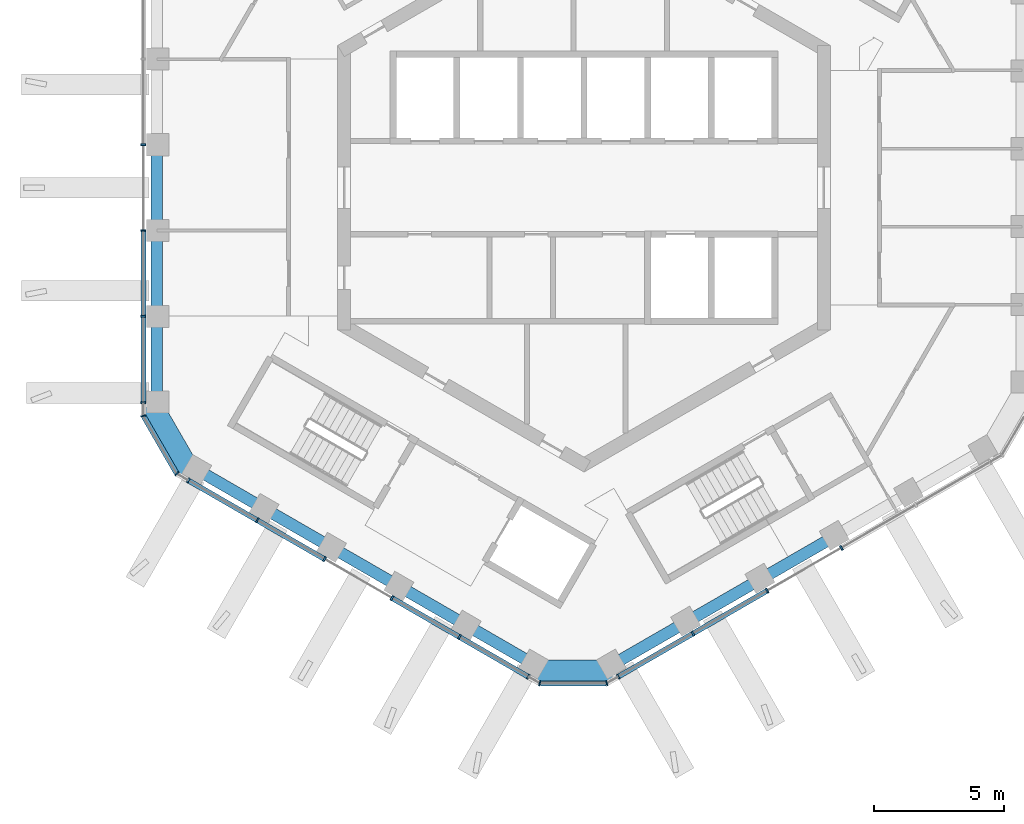
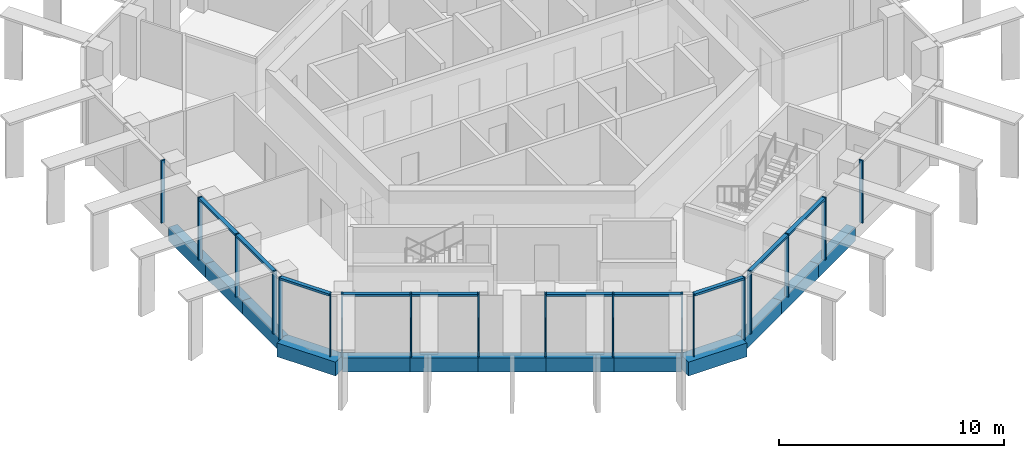
# One storey, part 2 of 18: 24 members, 13 beams, 5 elements without a shape of their own.
"""IFC4 building model written with IfcOpenShell, lengths in metres."""

from ifc_helpers import new_model, si_unit, direction, frame, origin, origin_2d, place, context, subcontext, project, spatial, rectangle, extrude, material, layer, layer_set, material_profile, profile_set, type_object, element, aggregate, save


model = new_model("IFC4")

# Units and contexts
model_context = context("Model", 3, precision=1e-05, world=origin(), true_north=direction((0.0, 1.0)))
body_context = subcontext(model_context, "Body", "Model", "MODEL_VIEW")
ifc_project = project(units=[si_unit("LENGTHUNIT", "METRE"), si_unit("AREAUNIT", "SQUARE_METRE"), si_unit("VOLUMEUNIT", "CUBIC_METRE"), si_unit("PLANEANGLEUNIT", "RADIAN"), si_unit("MASSUNIT", "GRAM", prefix="KILO")], contexts=[model_context])

# Site, building, storey
site_placement = place(None, origin())
site = spatial("IfcSite", under=ifc_project, at=site_placement, CompositionType="ELEMENT")
building_placement = place(site_placement, origin())
building = spatial("IfcBuilding", under=site, at=building_placement, Name="Ayvan Gate Tower", CompositionType="ELEMENT")
storey_placement = place(building_placement, frame((0.0, 0.0, 242.699951171875)))
storey = spatial("IfcBuildingStorey", under=building, at=storey_placement, Name="L65", CompositionType="ELEMENT", Elevation=242.699951171875)

# Beams
ifc_material_1 = material(Name="Concrete C40/50", Category="concrete")
ifc_material_profile_1 = material_profile(ifc_material_1, rectangle(XDim=0.800048828125, YDim=0.75, at=origin_2d()), Name="RC 800x750")
ifc_profile_set_1 = profile_set([ifc_material_profile_1], Name="Concrete C40/50")
beam_type_1 = type_object("IfcBeamType", Name="Corner spandrel beam RC 800x750 C40/50", PredefinedType="BEAM", material=ifc_profile_set_1)
beam_1_placement = place(storey_placement, frame((-16.67529296875, -8.360595703125, -0.724853515625), z_axis=(0.50002537861, -0.866010750942, 0.0), x_axis=(0.866010750942, 0.50002537861, 0.0)))
element("IfcBeam", 1, at=beam_1_placement, inside=storey, type_object=beam_type_1, Name="SB-L65-24", PredefinedType="BEAM", context=body_context, shape_type="SweptSolid", body=[
    extrude(rectangle(XDim=0.800048828125, YDim=0.75, at=origin_2d()), origin(), (0.0, 0.0, 1.0), 2.999755859375),
])
beam_2_placement = place(storey_placement, frame((-1.90283203125, -18.621337890625, -0.724853515625), z_axis=(1.0, 0.0, 0.0), x_axis=(0.0, 1.0, 0.0)))
element("IfcBeam", 2, at=beam_2_placement, inside=storey, type_object=beam_type_1, Name="SB-L65-30", PredefinedType="BEAM", context=body_context, shape_type="SweptSolid", body=[
    extrude(rectangle(XDim=0.800048828125, YDim=0.75, at=origin_2d()), origin(), (0.0, 0.0, 1.0), 3.0),
])
ifc_material_profile_2 = material_profile(ifc_material_1, rectangle(XDim=0.449951171875, YDim=0.75, at=origin_2d()), Name="RC 450x750")
ifc_profile_set_2 = profile_set([ifc_material_profile_2], Name="Concrete C40/50")
beam_type_2 = type_object("IfcBeamType", Name="Spandrel beam RC 450x750 C40/50", PredefinedType="BEAM", material=ifc_profile_set_2)
beam_3_placement = place(storey_placement, frame((-16.484619140625, 1.650146484375, -0.724853515625), z_axis=(0.0, -1.0, 0.0), x_axis=(1.0, 0.0, 0.0)))
element("IfcBeam", 3, at=beam_3_placement, inside=storey, type_object=beam_type_2, Name="SB-L65-21", PredefinedType="BEAM", context=body_context, shape_type="SweptSolid", body=[
    extrude(rectangle(XDim=0.449951171875, YDim=0.75, at=origin_2d()), origin(), (0.0, 0.0, 1.0), 3.30029296875),
])
beam_4_placement = place(storey_placement, frame((-16.484619140625, -1.650146484375, -0.724853515625), z_axis=(0.0, -1.0, 0.0), x_axis=(1.0, 0.0, 0.0)))
element("IfcBeam", 4, at=beam_4_placement, inside=storey, type_object=beam_type_2, Name="SB-L65-22", PredefinedType="BEAM", context=body_context, shape_type="SweptSolid", body=[
    extrude(rectangle(XDim=0.449951171875, YDim=0.75, at=origin_2d()), origin(), (0.0, 0.0, 1.0), 3.300048828125),
])
beam_5_placement = place(storey_placement, frame((-16.484619140625, -4.9501953125, -0.724853515625), z_axis=(0.0, -1.0, 0.0), x_axis=(1.0, 0.0, 0.0)))
element("IfcBeam", 5, at=beam_5_placement, inside=storey, type_object=beam_type_2, Name="SB-L65-23", PredefinedType="BEAM", context=body_context, shape_type="SweptSolid", body=[
    extrude(rectangle(XDim=0.449951171875, YDim=0.75, at=origin_2d()), origin(), (0.0, 0.0, 1.0), 3.30029296875),
])
beam_6_placement = place(storey_placement, frame((-14.984619140625, -10.8486328125, -0.724853515625), z_axis=(0.866021396379, -0.500006940966, 0.0), x_axis=(0.500006940966, 0.866021396379, 0.0)))
element("IfcBeam", 6, at=beam_6_placement, inside=storey, type_object=beam_type_2, Name="SB-L65-25", PredefinedType="BEAM", context=body_context, shape_type="SweptSolid", body=[
    extrude(rectangle(XDim=0.449951171875, YDim=0.75, at=origin_2d()), origin(), (0.0, 0.0, 1.0), 3.02099609375),
])
for number, where, z_axis, x_axis, name in (
    (7, (-12.368408203125, -12.359130859375, -0.724853515625), (0.866041598752, -0.499971948444, 0.0), (0.499971948444, 0.866041598752, 0.0), "SB-L65-26"),
    (8, (-9.751953125, -13.86962890625, -0.724853515625), (0.866006607564, -0.500032554596, 0.0), (0.500032554596, 0.866006607564, 0.0), "SB-L65-27"),
    (9, (-7.135498046875, -15.38037109375, -0.724853515625), (0.866041598752, -0.499971948444, 0.0), (0.499971948444, 0.866041598752, 0.0), "SB-L65-28"),
):
    element("IfcBeam", number, at=place(storey_placement, frame(where, z_axis=z_axis, x_axis=x_axis)), inside=storey, type_object=beam_type_2, Name=name, PredefinedType="BEAM", context=body_context, shape_type="SweptSolid", body=[
        extrude(rectangle(XDim=0.449951171875, YDim=0.75, at=origin_2d()), origin(), (0.0, 0.0, 1.0), 3.021240234375),
    ])
beam_7_placement = place(storey_placement, frame((-4.51904296875, -16.890869140625, -0.724853515625), z_axis=(0.866021396379, -0.500006940966, 0.0), x_axis=(0.500006940966, 0.866021396379, 0.0)))
element("IfcBeam", 10, at=beam_7_placement, inside=storey, type_object=beam_type_2, Name="SB-L65-29", PredefinedType="BEAM", context=body_context, shape_type="SweptSolid", body=[
    extrude(rectangle(XDim=0.449951171875, YDim=0.75, at=origin_2d()), origin(), (0.0, 0.0, 1.0), 3.02099609375),
])
beam_8_placement = place(storey_placement, frame((1.09716796875, -18.4013671875, -0.724853515625), z_axis=(0.8660266723, 0.49999780286, 0.0), x_axis=(-0.49999780286, 0.8660266723, 0.0)))
element("IfcBeam", 11, at=beam_8_placement, inside=storey, type_object=beam_type_2, Name="SB-L65-31", PredefinedType="BEAM", context=body_context, shape_type="SweptSolid", body=[
    extrude(rectangle(XDim=0.449951171875, YDim=0.75, at=origin_2d()), origin(), (0.0, 0.0, 1.0), 3.30029296875),
])
beam_9_placement = place(storey_placement, frame((3.955322265625, -16.751220703125, -0.724853515625), z_axis=(0.866040211805, 0.499974350878, 0.0), x_axis=(-0.499974350878, 0.866040211805, 0.0)))
element("IfcBeam", 12, at=beam_9_placement, inside=storey, type_object=beam_type_2, Name="SB-L65-32", PredefinedType="BEAM", context=body_context, shape_type="SweptSolid", body=[
    extrude(rectangle(XDim=0.449951171875, YDim=0.75, at=origin_2d()), origin(), (0.0, 0.0, 1.0), 3.300048828125),
])
beam_10_placement = place(storey_placement, frame((6.813232421875, -15.101318359375, -0.724853515625), z_axis=(0.8660266723, 0.49999780286, 0.0), x_axis=(-0.49999780286, 0.8660266723, 0.0)))
element("IfcBeam", 13, at=beam_10_placement, inside=storey, type_object=beam_type_2, Name="SB-L65-33", PredefinedType="BEAM", context=body_context, shape_type="SweptSolid", body=[
    extrude(rectangle(XDim=0.449951171875, YDim=0.75, at=origin_2d()), origin(), (0.0, 0.0, 1.0), 3.30029296875),
])

# Curtain wall, members
ifc_material_2 = material(Name="Bronze anodised aluminium", Category="aluminium")
ifc_layer_1 = layer(ifc_material_2, 0.199951171875)
ifc_layer_set_1 = layer_set([ifc_layer_1], Name="Bronze anodised aluminium")
curtain_wall_type_1 = type_object("IfcCurtainWallType", Name="Stick curtain wall CW-2", PredefinedType="NOTDEFINED", material=ifc_layer_set_1)
curtain_wall_1_placement = place(storey_placement, origin())
curtain_wall_1 = element("IfcCurtainWall", 14, at=curtain_wall_1_placement, inside=storey, type_object=curtain_wall_type_1, Name="Stick curtain wall CW-2 L65", PredefinedType="NOTDEFINED")
ifc_material_profile_3 = material_profile(ifc_material_2, rectangle(XDim=0.199951171875, YDim=0.070068359375, at=origin_2d()), Name="Stick curtain wall CW-2 mullion 200 x 70")
ifc_profile_set_3 = profile_set([ifc_material_profile_3], Name="Bronze anodised aluminium")
member_type_1 = type_object("IfcMemberType", Name="Stick curtain wall CW-2 mullion 200 x 70", PredefinedType="MULLION", material=ifc_profile_set_3)
member_1_placement = place(storey_placement, frame((-16.9970703125, 1.655029296875, 0.0), z_axis=(0.0, 0.0, 1.0), x_axis=(-1.0, 0.0, 0.0)))
member_1 = element("IfcMember", 15, at=member_1_placement, type_object=member_type_1, Name="CW-2 mullion 3", PredefinedType="MULLION", context=body_context, shape_type="SweptSolid", body=[
    extrude(rectangle(XDim=0.199951171875, YDim=0.070068359375, at=origin_2d()), origin(), (0.0, 0.0, 1.0), 3.400146484375),
])
member_2_placement = place(storey_placement, frame((-16.9970703125, -1.655029296875, 0.0), z_axis=(0.0, 0.0, 1.0), x_axis=(-1.0, 0.0, 0.0)))
member_2 = element("IfcMember", 16, at=member_2_placement, type_object=member_type_1, Name="CW-2 mullion 4", PredefinedType="MULLION", context=body_context, shape_type="SweptSolid", body=[
    extrude(rectangle(XDim=0.199951171875, YDim=0.070068359375, at=origin_2d()), origin(), (0.0, 0.0, 1.0), 3.400146484375),
])
member_3_placement = place(storey_placement, frame((-16.9970703125, -4.965087890625, 0.0), z_axis=(0.0, 0.0, 1.0), x_axis=(-1.0, 0.0, 0.0)))
member_3 = element("IfcMember", 17, at=member_3_placement, type_object=member_type_1, Name="CW-2 mullion 5", PredefinedType="MULLION", context=body_context, shape_type="SweptSolid", body=[
    extrude(rectangle(XDim=0.199951171875, YDim=0.070068359375, at=origin_2d()), origin(), (0.0, 0.0, 1.0), 3.400146484375),
])
member_4_placement = place(storey_placement, frame((-16.9970703125, -8.2919921875, 0.0), z_axis=(0.0, 0.0, 1.0), x_axis=(-1.0, 0.0, 0.0)))
member_4 = element("IfcMember", 18, at=member_4_placement, type_object=member_type_1, Name="CW-2 mullion 6", PredefinedType="MULLION", context=body_context, shape_type="SweptSolid", body=[
    extrude(rectangle(XDim=0.199951171875, YDim=0.070068359375, at=origin_2d()), origin(), (0.0, 0.0, 1.0), 3.400146484375),
])

curtain_wall_2_placement = place(storey_placement, origin())
curtain_wall_2 = element("IfcCurtainWall", 19, at=curtain_wall_2_placement, inside=storey, type_object=curtain_wall_type_1, Name="Stick curtain wall CW-2 L65", PredefinedType="NOTDEFINED")
member_5_placement = place(storey_placement, frame((-15.26416015625, -11.29345703125, 0.0), z_axis=(0.0, 0.0, 1.0), x_axis=(-0.5, -0.866025403784, 0.0)))
member_5 = element("IfcMember", 20, at=member_5_placement, type_object=member_type_1, Name="CW-2 mullion 1", PredefinedType="MULLION", context=body_context, shape_type="SweptSolid", body=[
    extrude(rectangle(XDim=0.199951171875, YDim=0.070068359375, at=origin_2d()), origin(), (0.0, 0.0, 1.0), 3.400146484375),
])
member_6_placement = place(storey_placement, frame((-12.60546875, -12.828369140625, 0.0), z_axis=(0.0, 0.0, 1.0), x_axis=(-0.5, -0.866025403784, 0.0)))
member_6 = element("IfcMember", 21, at=member_6_placement, type_object=member_type_1, Name="CW-2 mullion 2", PredefinedType="MULLION", context=body_context, shape_type="SweptSolid", body=[
    extrude(rectangle(XDim=0.199951171875, YDim=0.070068359375, at=origin_2d()), origin(), (0.0, 0.0, 1.0), 3.400146484375),
])
member_7_placement = place(storey_placement, frame((-10.005615234375, -14.32958984375, 0.0), z_axis=(0.0, 0.0, 1.0), x_axis=(-0.5, -0.866025403784, 0.0)))
member_7 = element("IfcMember", 22, at=member_7_placement, type_object=member_type_1, Name="CW-2 mullion 3", PredefinedType="MULLION", context=body_context, shape_type="SweptSolid", body=[
    extrude(rectangle(XDim=0.199951171875, YDim=0.070068359375, at=origin_2d()), origin(), (0.0, 0.0, 1.0), 3.400146484375),
])
member_8_placement = place(storey_placement, frame((-7.40673828125, -15.830078125, 0.0), z_axis=(0.0, 0.0, 1.0), x_axis=(-0.5, -0.866025403784, 0.0)))
member_8 = element("IfcMember", 23, at=member_8_placement, type_object=member_type_1, Name="CW-2 mullion 4", PredefinedType="MULLION", context=body_context, shape_type="SweptSolid", body=[
    extrude(rectangle(XDim=0.199951171875, YDim=0.070068359375, at=origin_2d()), origin(), (0.0, 0.0, 1.0), 3.400146484375),
])
member_9_placement = place(storey_placement, frame((-4.806884765625, -17.3310546875, 0.0), z_axis=(0.0, 0.0, 1.0), x_axis=(-0.5, -0.866025403784, 0.0)))
member_9 = element("IfcMember", 24, at=member_9_placement, type_object=member_type_1, Name="CW-2 mullion 5", PredefinedType="MULLION", context=body_context, shape_type="SweptSolid", body=[
    extrude(rectangle(XDim=0.199951171875, YDim=0.070068359375, at=origin_2d()), origin(), (0.0, 0.0, 1.0), 3.400146484375),
])
member_10_placement = place(storey_placement, frame((-2.1484375, -18.865966796875, 0.0), z_axis=(0.0, 0.0, 1.0), x_axis=(-0.5, -0.866025403784, 0.0)))
member_10 = element("IfcMember", 25, at=member_10_placement, type_object=member_type_1, Name="CW-2 mullion 6", PredefinedType="MULLION", context=body_context, shape_type="SweptSolid", body=[
    extrude(rectangle(XDim=0.199951171875, YDim=0.070068359375, at=origin_2d()), origin(), (0.0, 0.0, 1.0), 3.400146484375),
])

curtain_wall_3_placement = place(storey_placement, origin())
curtain_wall_3 = element("IfcCurtainWall", 26, at=curtain_wall_3_placement, inside=storey, type_object=curtain_wall_type_1, Name="Stick curtain wall CW-2 L65", PredefinedType="NOTDEFINED")
member_11_placement = place(storey_placement, frame((1.317626953125, -18.865966796875, 0.0), z_axis=(0.0, 0.0, 1.0), x_axis=(0.5, -0.866025403784, 0.0)))
member_11 = element("IfcMember", 27, at=member_11_placement, type_object=member_type_1, Name="CW-2 mullion 1", PredefinedType="MULLION", context=body_context, shape_type="SweptSolid", body=[
    extrude(rectangle(XDim=0.199951171875, YDim=0.070068359375, at=origin_2d()), origin(), (0.0, 0.0, 1.0), 3.400146484375),
])
member_12_placement = place(storey_placement, frame((4.19873046875, -17.202392578125, 0.0), z_axis=(0.0, 0.0, 1.0), x_axis=(0.5, -0.866025403784, 0.0)))
member_12 = element("IfcMember", 28, at=member_12_placement, type_object=member_type_1, Name="CW-2 mullion 2", PredefinedType="MULLION", context=body_context, shape_type="SweptSolid", body=[
    extrude(rectangle(XDim=0.199951171875, YDim=0.070068359375, at=origin_2d()), origin(), (0.0, 0.0, 1.0), 3.400146484375),
])
member_13_placement = place(storey_placement, frame((7.0654296875, -15.54736328125, 0.0), z_axis=(0.0, 0.0, 1.0), x_axis=(0.5, -0.866025403784, 0.0)))
member_13 = element("IfcMember", 29, at=member_13_placement, type_object=member_type_1, Name="CW-2 mullion 3", PredefinedType="MULLION", context=body_context, shape_type="SweptSolid", body=[
    extrude(rectangle(XDim=0.199951171875, YDim=0.070068359375, at=origin_2d()), origin(), (0.0, 0.0, 1.0), 3.400146484375),
])
member_14_placement = place(storey_placement, frame((9.931884765625, -13.892333984375, 0.0), z_axis=(0.0, 0.0, 1.0), x_axis=(0.5, -0.866025403784, 0.0)))
member_14 = element("IfcMember", 30, at=member_14_placement, type_object=member_type_1, Name="CW-2 mullion 4", PredefinedType="MULLION", context=body_context, shape_type="SweptSolid", body=[
    extrude(rectangle(XDim=0.199951171875, YDim=0.070068359375, at=origin_2d()), origin(), (0.0, 0.0, 1.0), 3.400146484375),
])

# Member
ifc_material_profile_4 = material_profile(ifc_material_2, rectangle(XDim=0.199951171875, YDim=0.1201171875, at=origin_2d()), Name="Stick curtain wall CW-2 transom 200 x 120")
ifc_profile_set_4 = profile_set([ifc_material_profile_4], Name="Bronze anodised aluminium")
member_type_2 = type_object("IfcMemberType", Name="Stick curtain wall CW-2 transom 200 x 120", PredefinedType="USERDEFINED", material=ifc_profile_set_4)
member_15_placement = place(storey_placement, frame((-16.9970703125, -1.690185546875, 3.340087890625), z_axis=(0.0, -1.0, 0.0), x_axis=(1.0, 0.0, 0.0)))
member_15 = element("IfcMember", 31, at=member_15_placement, type_object=member_type_2, Name="CW-2 transom 2", ObjectType="TRANSOM", PredefinedType="USERDEFINED", context=body_context, shape_type="SweptSolid", body=[
    extrude(rectangle(XDim=0.199951171875, YDim=0.1201171875, at=origin_2d()), origin(), (0.0, 0.0, 1.0), 6.601806640625),
])

aggregate(curtain_wall_1, [member_1, member_2, member_3, member_4, member_15])

member_16_placement = place(storey_placement, frame((-15.26416015625, -11.29345703125, 3.340087890625), z_axis=(0.866024633553, -0.500001334077, 0.0), x_axis=(0.500001334077, 0.866024633553, 0.0)))
member_16 = element("IfcMember", 32, at=member_16_placement, type_object=member_type_2, Name="CW-2 transom 1", ObjectType="TRANSOM", PredefinedType="USERDEFINED", context=body_context, shape_type="SweptSolid", body=[
    extrude(rectangle(XDim=0.199951171875, YDim=0.1201171875, at=origin_2d()), origin(), (0.0, 0.0, 1.0), 6.037109375),
])

member_17_placement = place(storey_placement, frame((-7.37646484375, -15.847412109375, 3.340087890625), z_axis=(0.866014522945, -0.500018845694, 0.0), x_axis=(0.500018845694, 0.866014522945, 0.0)))
member_17 = element("IfcMember", 33, at=member_17_placement, type_object=member_type_2, Name="CW-2 transom 2", ObjectType="TRANSOM", PredefinedType="USERDEFINED", context=body_context, shape_type="SweptSolid", body=[
    extrude(rectangle(XDim=0.199951171875, YDim=0.1201171875, at=origin_2d()), origin(), (0.0, 0.0, 1.0), 6.036865234375),
])

aggregate(curtain_wall_2, [member_5, member_6, member_7, member_8, member_9, member_10, member_16, member_17])

member_18_placement = place(storey_placement, frame((1.317626953125, -18.865966796875, 3.340087890625), z_axis=(0.866015613246, 0.500016957327, 0.0), x_axis=(-0.500016957327, 0.866015613246, 0.0)))
member_18 = element("IfcMember", 34, at=member_18_placement, type_object=member_type_2, Name="CW-2 transom 1", ObjectType="TRANSOM", PredefinedType="USERDEFINED", context=body_context, shape_type="SweptSolid", body=[
    extrude(rectangle(XDim=0.199951171875, YDim=0.1201171875, at=origin_2d()), origin(), (0.0, 0.0, 1.0), 6.601806640625),
])

aggregate(curtain_wall_3, [member_11, member_12, member_13, member_14, member_18])

# Curtain wall, members
ifc_layer_2 = layer(ifc_material_2, 0.199951171875)
ifc_layer_set_2 = layer_set([ifc_layer_2], Name="Bronze anodised aluminium")
curtain_wall_type_2 = type_object("IfcCurtainWallType", Name="Stick curtain wall CW-6", PredefinedType="NOTDEFINED", material=ifc_layer_set_2)
curtain_wall_4_placement = place(storey_placement, origin())
curtain_wall_4 = element("IfcCurtainWall", 35, at=curtain_wall_4_placement, inside=storey, type_object=curtain_wall_type_2, Name="Stick curtain wall CW-6 L65", PredefinedType="NOTDEFINED")
ifc_material_profile_5 = material_profile(ifc_material_2, rectangle(XDim=0.199951171875, YDim=0.050048828125, at=origin_2d()), Name="Stick curtain wall CW-6 mullion 200 x 50")
ifc_profile_set_5 = profile_set([ifc_material_profile_5], Name="Bronze anodised aluminium")
member_type_3 = type_object("IfcMemberType", Name="Stick curtain wall CW-6 mullion 200 x 50", PredefinedType="MULLION", material=ifc_profile_set_5)
member_19_placement = place(storey_placement, frame((-16.9970703125, -8.802001953125, 0.0), z_axis=(0.0, 0.0, 1.0), x_axis=(-0.965925826289, -0.258819045103, 0.0)))
member_19 = element("IfcMember", 36, at=member_19_placement, type_object=member_type_3, Name="CW-6 mullion 2", PredefinedType="MULLION", context=body_context, shape_type="SweptSolid", body=[
    extrude(rectangle(XDim=0.199951171875, YDim=0.050048828125, at=origin_2d()), origin(), (0.0, 0.0, 1.0), 3.400146484375),
])
member_20_placement = place(storey_placement, frame((-15.705810546875, -11.03857421875, 0.0), z_axis=(0.0, 0.0, 1.0), x_axis=(-0.707106781187, -0.707106781187, 0.0)))
member_20 = element("IfcMember", 37, at=member_20_placement, type_object=member_type_3, Name="CW-6 mullion 3", PredefinedType="MULLION", context=body_context, shape_type="SweptSolid", body=[
    extrude(rectangle(XDim=0.199951171875, YDim=0.050048828125, at=origin_2d()), origin(), (0.0, 0.0, 1.0), 3.400146484375),
])

curtain_wall_5_placement = place(storey_placement, origin())
curtain_wall_5 = element("IfcCurtainWall", 38, at=curtain_wall_5_placement, inside=storey, type_object=curtain_wall_type_2, Name="Stick curtain wall CW-6 L65", PredefinedType="NOTDEFINED")
member_21_placement = place(storey_placement, frame((-1.706787109375, -19.120849609375, 0.0), z_axis=(0.0, 0.0, 1.0), x_axis=(-0.258819045103, -0.965925826289, 0.0)))
member_21 = element("IfcMember", 39, at=member_21_placement, type_object=member_type_3, Name="CW-6 mullion 2", PredefinedType="MULLION", context=body_context, shape_type="SweptSolid", body=[
    extrude(rectangle(XDim=0.199951171875, YDim=0.050048828125, at=origin_2d()), origin(), (0.0, 0.0, 1.0), 3.400146484375),
])
member_22_placement = place(storey_placement, frame((0.875732421875, -19.120849609375, 0.0), z_axis=(0.0, 0.0, 1.0), x_axis=(0.258819045103, -0.965925826289, 0.0)))
member_22 = element("IfcMember", 40, at=member_22_placement, type_object=member_type_3, Name="CW-6 mullion 3", PredefinedType="MULLION", context=body_context, shape_type="SweptSolid", body=[
    extrude(rectangle(XDim=0.199951171875, YDim=0.050048828125, at=origin_2d()), origin(), (0.0, 0.0, 1.0), 3.400146484375),
])

# Member
ifc_material_profile_6 = material_profile(ifc_material_2, rectangle(XDim=0.199951171875, YDim=0.1201171875, at=origin_2d()), Name="Stick curtain wall CW-6 transom 200 x 120")
ifc_profile_set_6 = profile_set([ifc_material_profile_6], Name="Bronze anodised aluminium")
member_type_4 = type_object("IfcMemberType", Name="Stick curtain wall CW-6 transom 200 x 120", PredefinedType="USERDEFINED", material=ifc_profile_set_6)
member_23_placement = place(storey_placement, frame((-16.984619140625, -8.823486328125, 3.340087890625), z_axis=(0.500006158363, -0.866021848223, 0.0), x_axis=(0.866021848223, 0.500006158363, 0.0)))
member_23 = element("IfcMember", 41, at=member_23_placement, type_object=member_type_4, Name="CW-6 transom 2", ObjectType="TRANSOM", PredefinedType="USERDEFINED", context=body_context, shape_type="SweptSolid", body=[
    extrude(rectangle(XDim=0.199951171875, YDim=0.1201171875, at=origin_2d()), origin(), (0.0, 0.0, 1.0), 2.53271484375),
])

aggregate(curtain_wall_4, [member_19, member_20, member_23])

member_24_placement = place(storey_placement, frame((-1.681640625, -19.120849609375, 3.340087890625), z_axis=(1.0, 0.0, 0.0), x_axis=(0.0, 1.0, 0.0)))
member_24 = element("IfcMember", 42, at=member_24_placement, type_object=member_type_4, Name="CW-6 transom 2", ObjectType="TRANSOM", PredefinedType="USERDEFINED", context=body_context, shape_type="SweptSolid", body=[
    extrude(rectangle(XDim=0.199951171875, YDim=0.1201171875, at=origin_2d()), origin(), (0.0, 0.0, 1.0), 2.532470703125),
])

aggregate(curtain_wall_5, [member_21, member_22, member_24])

save(model, "model.ifc")
